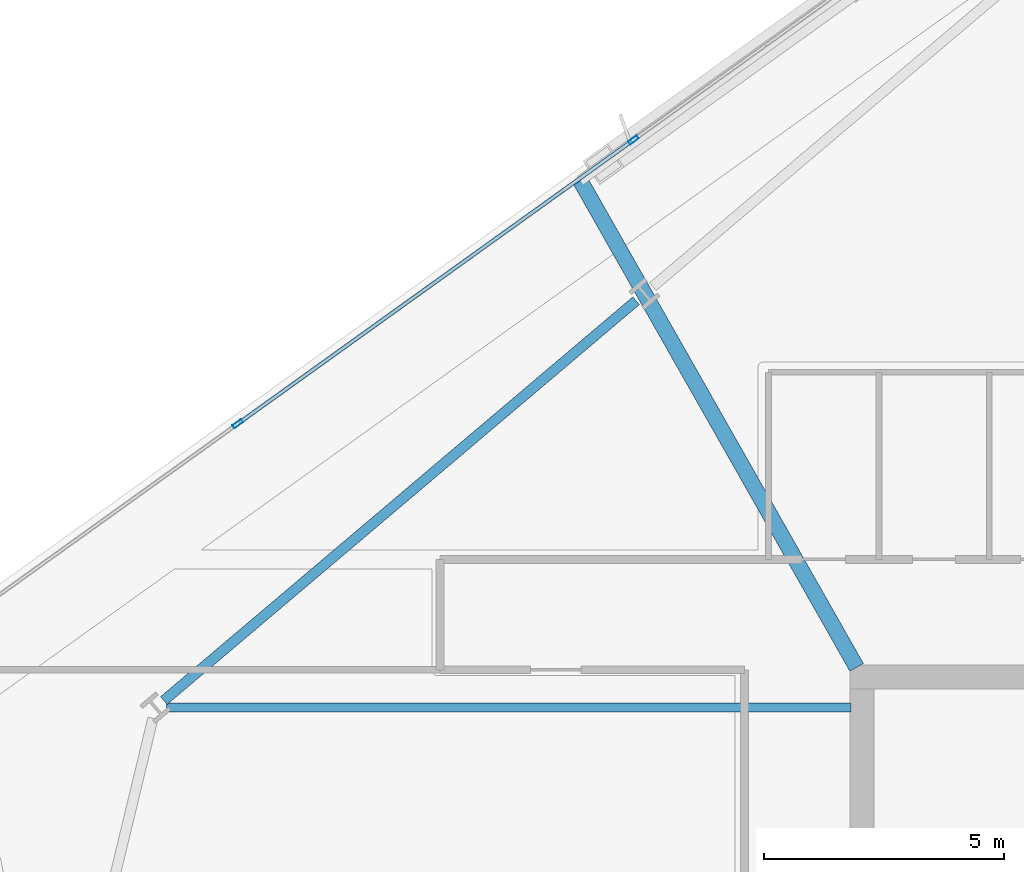
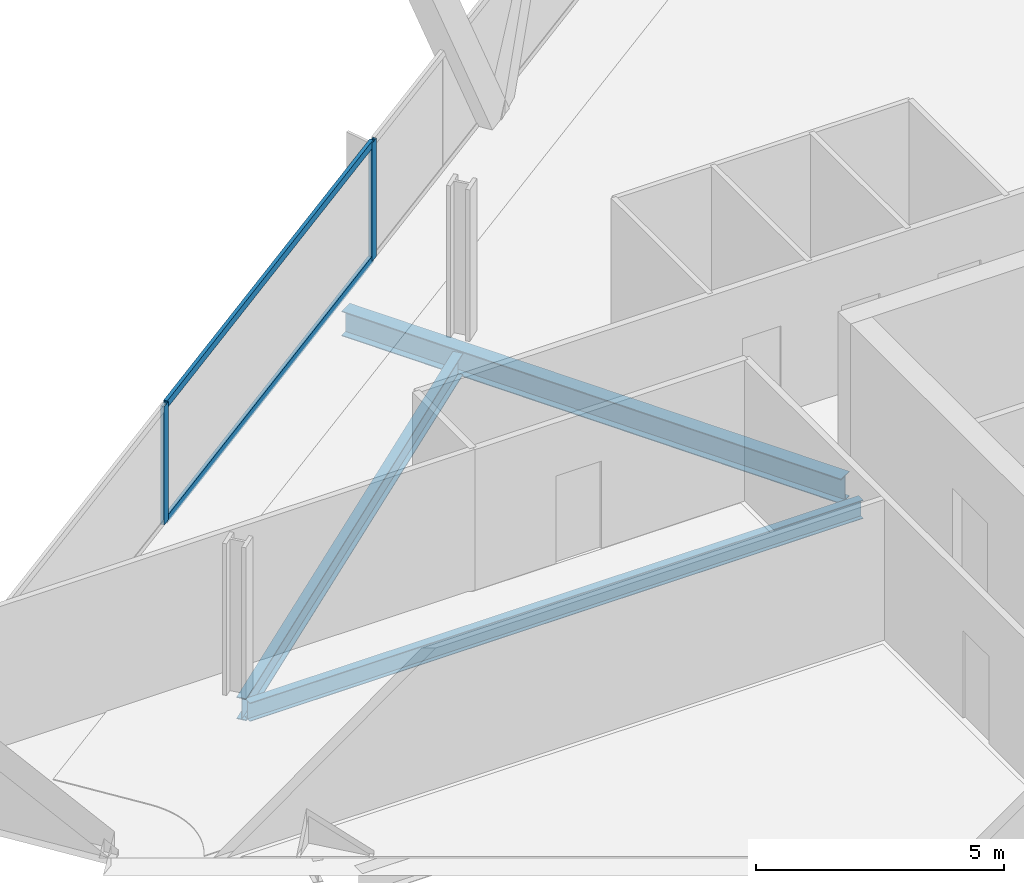
# One storey, part 14 of 33: 4 members, 3 beams, 1 element without a shape of its own.
"""IFC4 building model written with IfcOpenShell, lengths in metres."""

from ifc_helpers import new_model, si_unit, direction, frame, origin, origin_2d, place, context, subcontext, project, spatial, hollow_rectangle, i_section, extrude, material, material_profile, profile_set, type_object, element, aggregate, save


model = new_model("IFC4")

# Units and contexts
model_context = context("Model", 3, precision=1e-05, world=origin(), true_north=direction((0.0, 1.0)))
body_context = subcontext(model_context, "Body", "Model", "MODEL_VIEW")
ifc_project = project(units=[si_unit("LENGTHUNIT", "METRE"), si_unit("AREAUNIT", "SQUARE_METRE"), si_unit("VOLUMEUNIT", "CUBIC_METRE"), si_unit("PLANEANGLEUNIT", "RADIAN"), si_unit("MASSUNIT", "GRAM", prefix="KILO")], contexts=[model_context])

# Site, building, storey
site_placement = place(None, origin())
site = spatial("IfcSite", under=ifc_project, at=site_placement, CompositionType="ELEMENT")
building_placement = place(site_placement, origin())
building = spatial("IfcBuilding", under=site, at=building_placement, Name="Haldenkirk Collegiate Tower", CompositionType="ELEMENT")
storey_placement = place(building_placement, frame((0.0, 0.0, 148.199951171875)))
storey = spatial("IfcBuildingStorey", under=building, at=storey_placement, Name="L36", CompositionType="ELEMENT", Elevation=148.199951171875)

# Beams
ifc_material_1 = material(Name="Steel ASTM A992 Grade 50", Category="steel")
ifc_material_profile_1 = material_profile(ifc_material_1, i_section(OverallWidth=0.324951171875, OverallDepth=0.615966796875, WebThickness=0.013916015625, FlangeThickness=0.021484375, at=origin_2d()), Name="W24X117")
ifc_profile_set_1 = profile_set([ifc_material_profile_1], Name="Steel ASTM A992 Grade 50")
beam_type_1 = type_object("IfcBeamType", Name="BM-GIRDER-W24X117", PredefinedType="BEAM", material=ifc_profile_set_1)
beam_1_placement = place(storey_placement, frame((21.12451171875, 44.3486328125, -0.597900390625), z_axis=(0.493728675616, -0.869616004266, 0.0), x_axis=(0.869616004266, 0.493728675616, 0.0)))
element("IfcBeam", 1, at=beam_1_placement, inside=storey, type_object=beam_type_1, Name="L36 primary floor girder 12", PredefinedType="BEAM", context=body_context, shape_type="SweptSolid", body=[
    extrude(i_section(OverallWidth=0.324951171875, OverallDepth=0.615966796875, WebThickness=0.013916015625, FlangeThickness=0.021484375, at=origin_2d()), origin(), (0.0, 0.0, 1.0), 11.67041015625),
])
ifc_material_profile_2 = material_profile(ifc_material_1, i_section(OverallWidth=0.18994140625, OverallDepth=0.45703125, WebThickness=0.009033203125, FlangeThickness=0.014404296875, at=origin_2d()), Name="W18X50")
ifc_profile_set_2 = profile_set([ifc_material_profile_2], Name="Steel ASTM A992 Grade 50")
beam_type_2 = type_object("IfcBeamType", Name="BM-JOIST-W18X50", PredefinedType="JOIST", material=ifc_profile_set_2)
beam_2_placement = place(storey_placement, frame((12.4990234375, 33.360107421875, -0.5185546875), z_axis=(1.0, 0.0, 0.0), x_axis=(0.0, 1.0, 0.0)))
element("IfcBeam", 2, at=beam_2_placement, inside=storey, type_object=beam_type_2, Name="L36 composite floor joist 13", PredefinedType="JOIST", context=body_context, shape_type="SweptSolid", body=[
    extrude(i_section(OverallWidth=0.18994140625, OverallDepth=0.45703125, WebThickness=0.009033203125, FlangeThickness=0.014404296875, at=origin_2d()), origin(), (0.0, 0.0, 1.0), 14.27099609375),
])
ifc_material_profile_3 = material_profile(ifc_material_1, i_section(OverallWidth=0.2119140625, OverallDepth=0.5439453125, WebThickness=0.01318359375, FlangeThickness=0.021240234375, at=origin_2d()), Name="W21X83")
ifc_profile_set_3 = profile_set([ifc_material_profile_3], Name="Steel ASTM A992 Grade 50")
beam_type_3 = type_object("IfcBeamType", Name="BM-SPANDREL-W21X83", PredefinedType="SPANDREL", material=ifc_profile_set_3)
beam_3_placement = place(storey_placement, frame((22.288818359375, 41.841796875, -0.56201171875), z_axis=(-0.76322543275, -0.64613229203, 0.0), x_axis=(0.64613229203, -0.76322543275, 0.0)))
element("IfcBeam", 3, at=beam_3_placement, inside=storey, type_object=beam_type_3, Name="L36 perimeter spandrel beam 11", PredefinedType="SPANDREL", context=body_context, shape_type="SweptSolid", body=[
    extrude(i_section(OverallWidth=0.2119140625, OverallDepth=0.5439453125, WebThickness=0.01318359375, FlangeThickness=0.021240234375, at=origin_2d()), origin(), (0.0, 0.0, 1.0), 12.89794921875),
])

# Curtain wall, members
ifc_material_2 = material(Name="Anodised architectural bronze aluminium", Category="aluminium")
curtain_wall_type = type_object("IfcCurtainWallType", Name="CW-SYS1-CONVEX-LOW", PredefinedType="USERDEFINED", material=ifc_material_2)
curtain_wall_placement = place(storey_placement, origin())
curtain_wall = element("IfcCurtainWall", 4, at=curtain_wall_placement, inside=storey, type_object=curtain_wall_type, Name="L36 Lower tower convex bronze-framed unitised curtain wall", ObjectType="UNITISED CURTAIN WALL", PredefinedType="USERDEFINED")
ifc_material_profile_4 = material_profile(ifc_material_2, hollow_rectangle(XDim=0.080078125, YDim=0.219970703125, WallThickness=0.0048828125, at=origin_2d()), Name="CW-MUL-1A")
ifc_profile_set_4 = profile_set([ifc_material_profile_4], Name="Anodised architectural bronze aluminium")
member_type_1 = type_object("IfcMemberType", Name="CW-MUL-1A", PredefinedType="MULLION", material=ifc_profile_set_4)
member_1_placement = place(storey_placement, frame((13.985595703125, 39.277587890625, 0.0), z_axis=(0.0, 0.0, 1.0), x_axis=(-0.582830736817, 0.81259358367, 0.0)))
member_1 = element("IfcMember", 5, at=member_1_placement, type_object=member_type_1, Name="CW-1A mullion 2", PredefinedType="MULLION", context=body_context, shape_type="SweptSolid", body=[
    extrude(hollow_rectangle(XDim=0.080078125, YDim=0.219970703125, WallThickness=0.0048828125, at=origin_2d()), origin(), (0.0, 0.0, 1.0), 2.9111328125),
])
member_2_placement = place(storey_placement, frame((22.2333984375, 45.193359375, 0.0), z_axis=(0.0, 0.0, 1.0), x_axis=(-0.582830736817, 0.81259358367, 0.0)))
member_2 = element("IfcMember", 6, at=member_2_placement, type_object=member_type_1, Name="CW-1A mullion 3", PredefinedType="MULLION", context=body_context, shape_type="SweptSolid", body=[
    extrude(hollow_rectangle(XDim=0.080078125, YDim=0.219970703125, WallThickness=0.0048828125, at=origin_2d()), origin(), (0.0, 0.0, 1.0), 2.9111328125),
])
ifc_material_profile_5 = material_profile(ifc_material_2, hollow_rectangle(XDim=0.080078125, YDim=0.179931640625, WallThickness=0.0048828125, at=origin_2d()), Name="CW-TRN-1A")
ifc_profile_set_5 = profile_set([ifc_material_profile_5], Name="Anodised architectural bronze aluminium")
member_type_2 = type_object("IfcMemberType", Name="CW-TRN-1A", PredefinedType="USERDEFINED", material=ifc_profile_set_5)
member_3_placement = place(storey_placement, frame((14.01806640625, 39.301025390625, 0.0400390625), z_axis=(0.812593414876, 0.582830972152, 0.0), x_axis=(-0.582830972152, 0.812593414876, 0.0)))
member_3 = element("IfcMember", 7, at=member_3_placement, type_object=member_type_2, Name="CW-1A transom 2.1", ObjectType="TRANSOM", PredefinedType="USERDEFINED", context=body_context, shape_type="SweptSolid", body=[
    extrude(hollow_rectangle(XDim=0.080078125, YDim=0.179931640625, WallThickness=0.0048828125, at=origin_2d()), origin(), (0.0, 0.0, 1.0), 10.070068359375),
])
member_4_placement = place(storey_placement, frame((14.01806640625, 39.301025390625, 2.87109375), z_axis=(0.812593414876, 0.582830972152, 0.0), x_axis=(-0.582830972152, 0.812593414876, 0.0)))
member_4 = element("IfcMember", 8, at=member_4_placement, type_object=member_type_2, Name="CW-1A transom 2.2", ObjectType="TRANSOM", PredefinedType="USERDEFINED", context=body_context, shape_type="SweptSolid", body=[
    extrude(hollow_rectangle(XDim=0.080078125, YDim=0.179931640625, WallThickness=0.0048828125, at=origin_2d()), origin(), (0.0, 0.0, 1.0), 10.070068359375),
])
aggregate(curtain_wall, [member_1, member_2, member_3, member_4])

save(model, "model.ifc")
